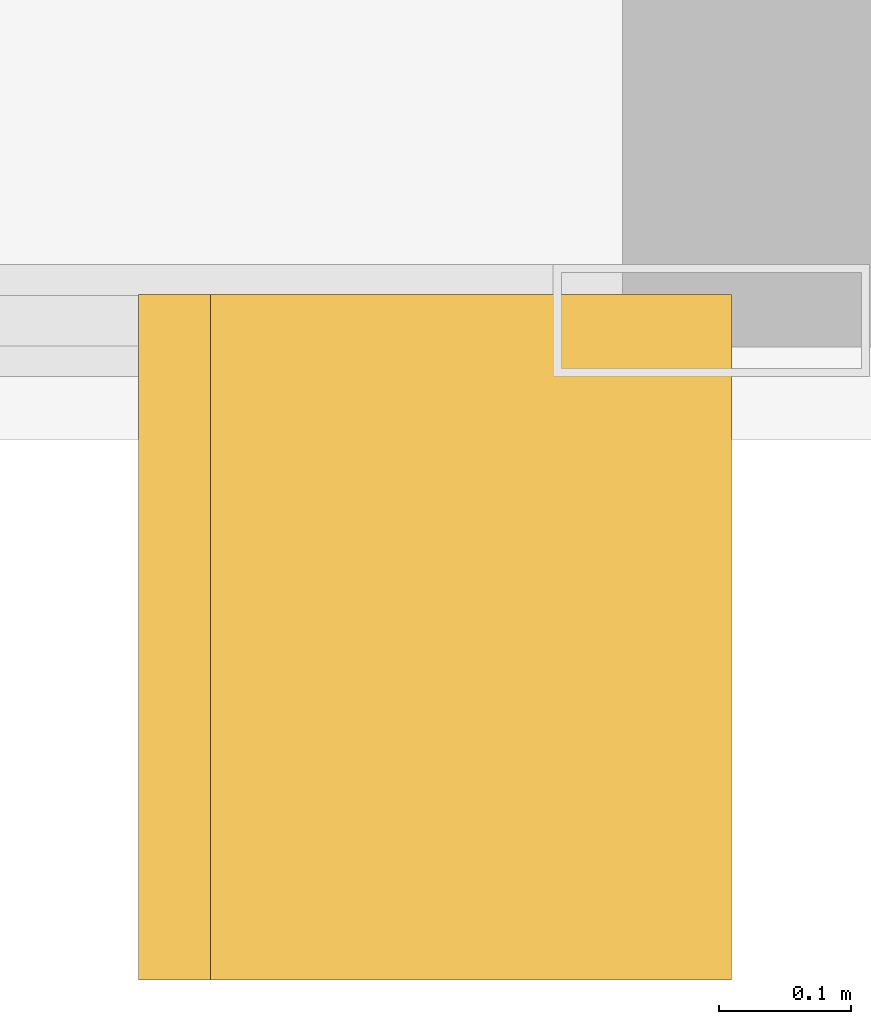
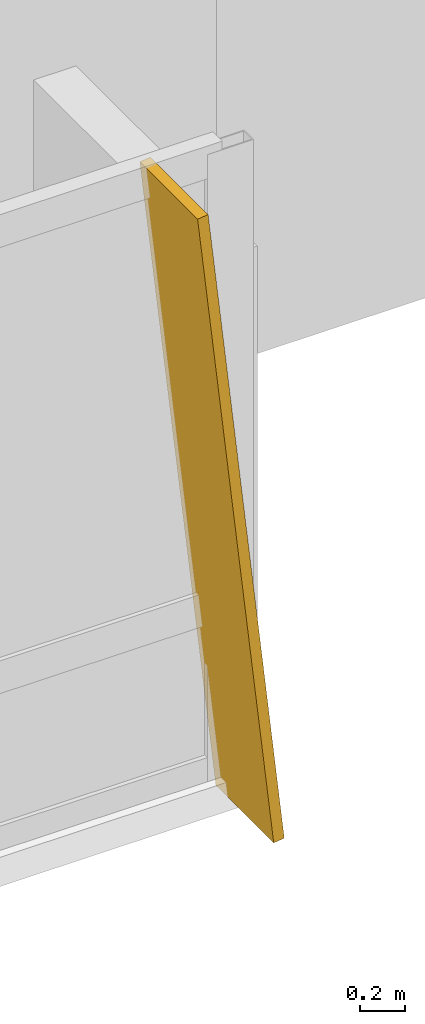
# One storey, part 32 of 32: 1 shading device.
"""IFC4 building model written with IfcOpenShell, lengths in metres."""

from ifc_helpers import new_model, si_unit, direction, frame, origin, place, context, subcontext, project, spatial, polyline, outline, extrude, material, layer, layer_set, type_object, element, save


model = new_model("IFC4")

# Units and contexts
model_context = context("Model", 3, precision=1e-05, world=origin(), true_north=direction((0.0, 1.0)))
body_context = subcontext(model_context, "Body", "Model", "MODEL_VIEW")
ifc_project = project(units=[si_unit("LENGTHUNIT", "METRE"), si_unit("AREAUNIT", "SQUARE_METRE"), si_unit("VOLUMEUNIT", "CUBIC_METRE"), si_unit("PLANEANGLEUNIT", "RADIAN"), si_unit("MASSUNIT", "GRAM", prefix="KILO")], contexts=[model_context])

# Site, building, storey
site_placement = place(None, origin())
site = spatial("IfcSite", under=ifc_project, at=site_placement, CompositionType="ELEMENT")
building_placement = place(site_placement, origin())
building = spatial("IfcBuilding", under=site, at=building_placement, Name="Khoronbel Lancet Exchange", CompositionType="ELEMENT")
storey_placement = place(building_placement, frame((0.0, 0.0, 111.0)))
storey = spatial("IfcBuildingStorey", under=building, at=storey_placement, Name="L26", CompositionType="ELEMENT", Elevation=111.0)

# Shading device
ifc_material = material(Name="Bronze-Anodised Aluminium 6063-T6", Category="aluminium")
ifc_layer = layer(ifc_material, 0.054931640625, Name="Bronze-Anodised Aluminium 6063-T6")
ifc_layer_set = layer_set([ifc_layer], Name="Bronze-Anodised Aluminium 6063-T6")
shading_device_type = type_object("IfcShadingDeviceType", Name="SHD-FIN1", PredefinedType="USERDEFINED", material=ifc_layer_set)
shading_device_placement = place(storey_placement, frame((65.9326171875, 7.81005859375, -0.080078125), z_axis=(0.993900347655, 0.0, 0.110281906632), x_axis=(0.0, -1.0, 0.0)))
element("IfcShadingDevice", 1, at=shading_device_placement, inside=storey, type_object=shading_device_type, Name="Slanted bronze solar fin CW-L26-SEV-1", ObjectType="FIN", PredefinedType="USERDEFINED", context=body_context, shape_type="SweptSolid", body=[
    extrude(outline(polyline([(0.0, 0.0), (0.52001953125, 0.0), (0.52001953125, -3.581787109375), (0.0, -3.581787109375), (0.0, 0.0)])), origin(), (0.0, 0.0, -1.0), 0.054931640625),
])

save(model, "model.ifc")
